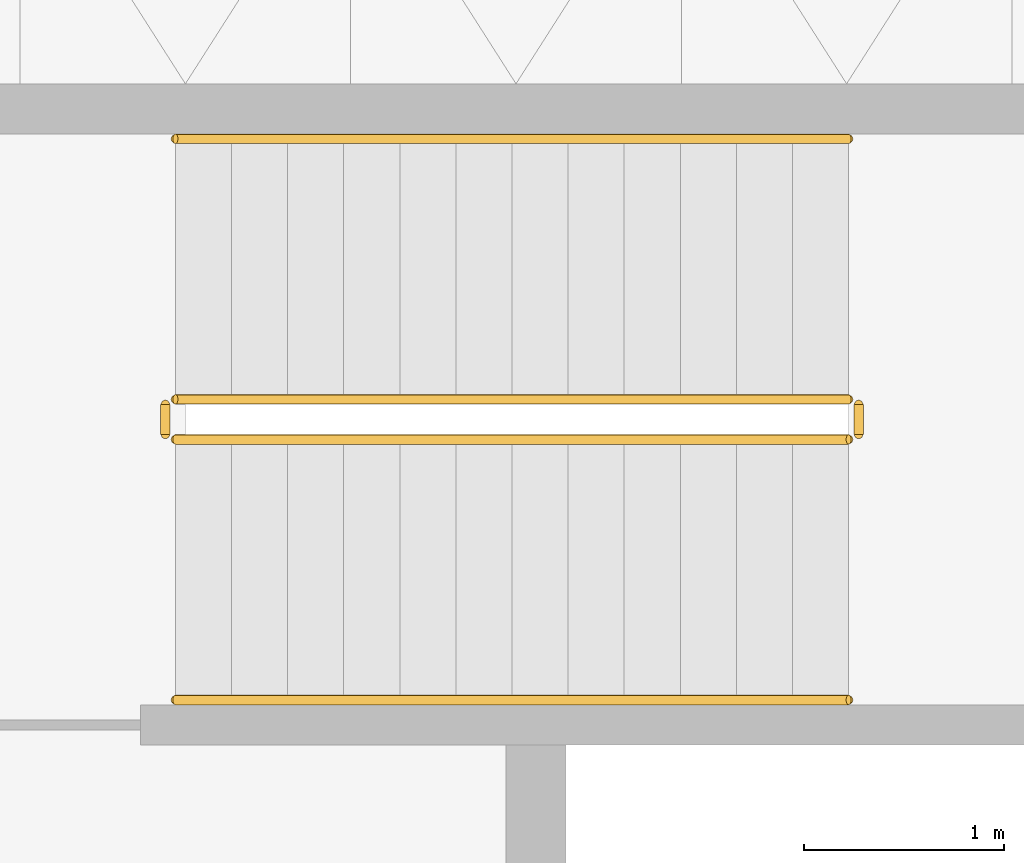
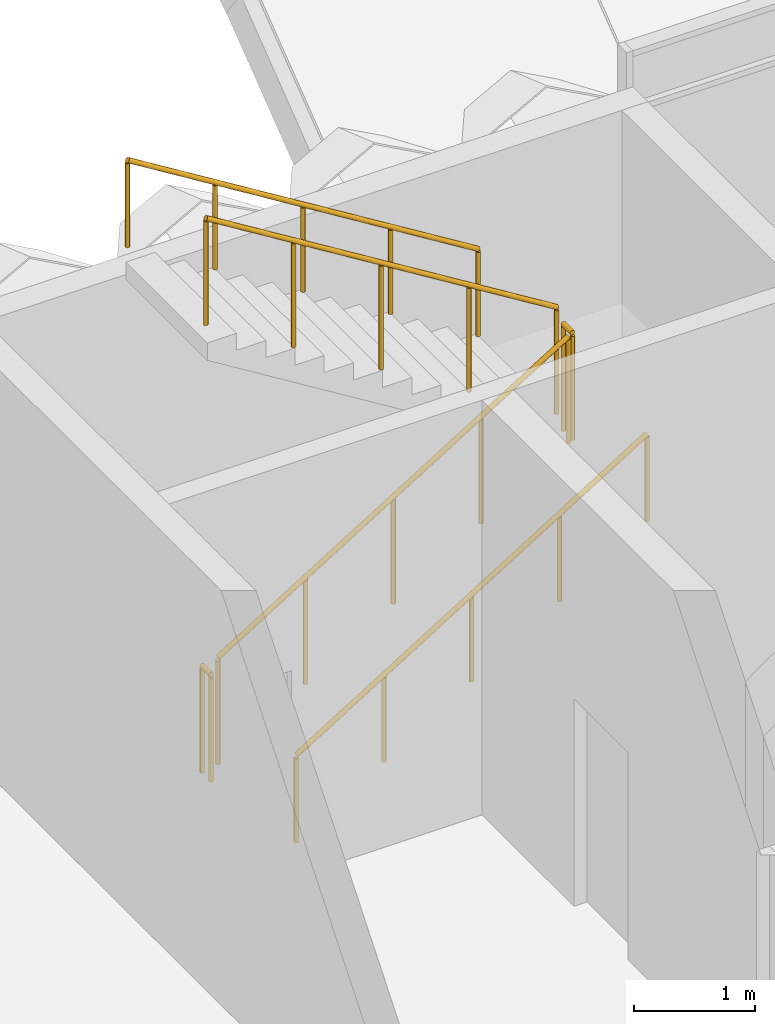
# One storey, part 48 of 85: 6 railings.
"""IFC4 building model written with IfcOpenShell, lengths in metres."""

from ifc_helpers import new_model, si_unit, direction, frame, origin, origin_2d, place, context, subcontext, project, spatial, circle, extrude, material, type_object, element, save


model = new_model("IFC4")

# Units and contexts
model_context = context("Model", 3, precision=1e-05, world=origin(), true_north=direction((0.0, 1.0)))
body_context = subcontext(model_context, "Body", "Model", "MODEL_VIEW")
ifc_project = project(units=[si_unit("LENGTHUNIT", "METRE"), si_unit("AREAUNIT", "SQUARE_METRE"), si_unit("VOLUMEUNIT", "CUBIC_METRE"), si_unit("PLANEANGLEUNIT", "RADIAN"), si_unit("MASSUNIT", "GRAM", prefix="KILO")], contexts=[model_context])

# Site, building, storey
site_placement = place(None, origin())
site = spatial("IfcSite", under=ifc_project, at=site_placement, CompositionType="ELEMENT")
building_placement = place(site_placement, origin())
building = spatial("IfcBuilding", under=site, at=building_placement, Name="Lantern Court Research Institute", CompositionType="ELEMENT")
storey_placement = place(building_placement, frame((0.0, 0.0, 18.89990234375)))
storey = spatial("IfcBuildingStorey", under=building, at=storey_placement, Name="L04", CompositionType="ELEMENT", Elevation=18.89990234375)

# Railings
ifc_material_1 = material(Name="Structural steel S355", Category="steel")
railing_type_1 = type_object("IfcRailingType", Name="Stair guard 1100 steel", PredefinedType="GUARDRAIL", material=ifc_material_1)
railing_1_placement = place(storey_placement, frame((34.60009765625, 21.324951171875, 0.173095703125)))
element("IfcRailing", 1, at=railing_1_placement, inside=storey, type_object=railing_type_1, Name="L04 ST-B3 stair guard 1", PredefinedType="GUARDRAIL", context=body_context, shape_type="SweptSolid", body=[
    extrude(circle(Radius=0.02392578125, at=origin_2d()), frame((0.0, 0.0, 1.076171875), z_axis=(0.850606129759, 0.0, 0.525803396734), x_axis=(0.0, 1.0, 0.0)), (0.0, 0.0, 1.0), 3.949951171875),
    extrude(circle(Radius=0.02099609375, at=origin_2d()), origin(), (0.0, 0.0, 1.0), 1.052001953125),
    extrude(circle(Radius=0.02099609375, at=origin_2d()), frame((0.83984375, 0.0, 0.519287109375)), (0.0, 0.0, 1.0), 1.052001953125),
    extrude(circle(Radius=0.02099609375, at=origin_2d()), frame((1.679931640625, 0.0, 1.03857421875)), (0.0, 0.0, 1.0), 1.052001953125),
    extrude(circle(Radius=0.02099609375, at=origin_2d()), frame((2.52001953125, 0.0, 1.5576171875)), (0.0, 0.0, 1.0), 1.052001953125),
    extrude(circle(Radius=0.02099609375, at=origin_2d()), frame((3.35986328125, 0.0, 2.076904296875)), (0.0, 0.0, 1.0), 1.052001953125),
])
railing_2_placement = place(storey_placement, frame((38.010009765625, 21.35009765625, 2.25)))
element("IfcRailing", 2, at=railing_2_placement, inside=storey, type_object=railing_type_1, Name="L04 ST-B3 stair guard 2", PredefinedType="GUARDRAIL", context=body_context, shape_type="SweptSolid", body=[
    extrude(circle(Radius=0.02392578125, at=origin_2d()), frame((0.0, 0.0, 1.076171875), z_axis=(0.0, 1.0, 0.0), x_axis=(-1.0, 0.0, 0.0)), (0.0, 0.0, 1.0), 0.14990234375),
    extrude(circle(Radius=0.02099609375, at=origin_2d()), origin(), (0.0, 0.0, 1.0), 1.052001953125),
    extrude(circle(Radius=0.02099609375, at=origin_2d()), frame((0.0, 0.14990234375, 0.0)), (0.0, 0.0, 1.0), 1.052001953125),
])
railing_3_placement = place(storey_placement, frame((37.9599609375, 21.52490234375, 2.423095703125)))
element("IfcRailing", 3, at=railing_3_placement, inside=storey, type_object=railing_type_1, Name="L04 ST-B3 stair guard 3", PredefinedType="GUARDRAIL", context=body_context, shape_type="SweptSolid", body=[
    extrude(circle(Radius=0.02392578125, at=origin_2d()), frame((0.0, 0.0, 1.076171875), z_axis=(-0.850606129759, 0.0, 0.525803396734), x_axis=(0.0, -1.0, 0.0)), (0.0, 0.0, 1.0), 3.949951171875),
    extrude(circle(Radius=0.02099609375, at=origin_2d()), origin(), (0.0, 0.0, 1.0), 1.052001953125),
    extrude(circle(Radius=0.02099609375, at=origin_2d()), frame((-0.83984375, 0.0, 0.519287109375)), (0.0, 0.0, 1.0), 1.052001953125),
    extrude(circle(Radius=0.02099609375, at=origin_2d()), frame((-1.679931640625, 0.0, 1.03857421875)), (0.0, 0.0, 1.0), 1.052001953125),
    extrude(circle(Radius=0.02099609375, at=origin_2d()), frame((-2.52001953125, 0.0, 1.5576171875)), (0.0, 0.0, 1.0), 1.052001953125),
    extrude(circle(Radius=0.02099609375, at=origin_2d()), frame((-3.35986328125, 0.0, 2.076904296875)), (0.0, 0.0, 1.0), 1.052001953125),
])
railing_4_placement = place(storey_placement, frame((34.550048828125, 21.35009765625, 0.0)))
element("IfcRailing", 4, at=railing_4_placement, inside=storey, type_object=railing_type_1, Name="L04 ST-B3 stair guard 4", PredefinedType="GUARDRAIL", context=body_context, shape_type="SweptSolid", body=[
    extrude(circle(Radius=0.02392578125, at=origin_2d()), frame((0.0, 0.0, 1.076171875), z_axis=(0.0, 1.0, 0.0), x_axis=(-1.0, 0.0, 0.0)), (0.0, 0.0, 1.0), 0.14990234375),
    extrude(circle(Radius=0.02099609375, at=origin_2d()), origin(), (0.0, 0.0, 1.0), 1.052001953125),
    extrude(circle(Radius=0.02099609375, at=origin_2d()), frame((0.0, 0.14990234375, 0.0)), (0.0, 0.0, 1.0), 1.052001953125),
])
ifc_material_2 = material(Name="Stainless steel 316", Category="steel")
railing_type_2 = type_object("IfcRailingType", Name="Stair handrail 900 steel", PredefinedType="HANDRAIL", material=ifc_material_2)
railing_5_placement = place(storey_placement, frame((34.60009765625, 20.02490234375, 0.173095703125)))
element("IfcRailing", 5, at=railing_5_placement, inside=storey, type_object=railing_type_2, Name="L04 ST-B3 stair handrail 1", PredefinedType="HANDRAIL", context=body_context, shape_type="SweptSolid", body=[
    extrude(circle(Radius=0.02392578125, at=origin_2d()), frame((0.0, 0.0, 0.8759765625), z_axis=(0.850606129759, 0.0, 0.525803396734), x_axis=(0.0, 1.0, 0.0)), (0.0, 0.0, 1.0), 3.949951171875),
    extrude(circle(Radius=0.02099609375, at=origin_2d()), origin(), (0.0, 0.0, 1.0), 0.851806640625),
    extrude(circle(Radius=0.02099609375, at=origin_2d()), frame((0.83984375, 0.0, 0.519287109375)), (0.0, 0.0, 1.0), 0.851806640625),
    extrude(circle(Radius=0.02099609375, at=origin_2d()), frame((1.679931640625, 0.0, 1.03857421875)), (0.0, 0.0, 1.0), 0.851806640625),
    extrude(circle(Radius=0.02099609375, at=origin_2d()), frame((2.52001953125, 0.0, 1.5576171875)), (0.0, 0.0, 1.0), 0.851806640625),
    extrude(circle(Radius=0.02099609375, at=origin_2d()), frame((3.35986328125, 0.0, 2.076904296875)), (0.0, 0.0, 1.0), 0.851806640625),
])
railing_6_placement = place(storey_placement, frame((37.9599609375, 22.824951171875, 2.423095703125)))
element("IfcRailing", 6, at=railing_6_placement, inside=storey, type_object=railing_type_2, Name="L04 ST-B3 stair handrail 2", PredefinedType="HANDRAIL", context=body_context, shape_type="SweptSolid", body=[
    extrude(circle(Radius=0.02392578125, at=origin_2d()), frame((0.0, 0.0, 0.8759765625), z_axis=(-0.850606129759, 0.0, 0.525803396734), x_axis=(0.0, -1.0, 0.0)), (0.0, 0.0, 1.0), 3.949951171875),
    extrude(circle(Radius=0.02099609375, at=origin_2d()), origin(), (0.0, 0.0, 1.0), 0.851806640625),
    extrude(circle(Radius=0.02099609375, at=origin_2d()), frame((-0.83984375, 0.0, 0.519287109375)), (0.0, 0.0, 1.0), 0.851806640625),
    extrude(circle(Radius=0.02099609375, at=origin_2d()), frame((-1.679931640625, 0.0, 1.03857421875)), (0.0, 0.0, 1.0), 0.851806640625),
    extrude(circle(Radius=0.02099609375, at=origin_2d()), frame((-2.52001953125, 0.0, 1.5576171875)), (0.0, 0.0, 1.0), 0.851806640625),
    extrude(circle(Radius=0.02099609375, at=origin_2d()), frame((-3.35986328125, 0.0, 2.076904296875)), (0.0, 0.0, 1.0), 0.851806640625),
])

save(model, "model.ifc")
